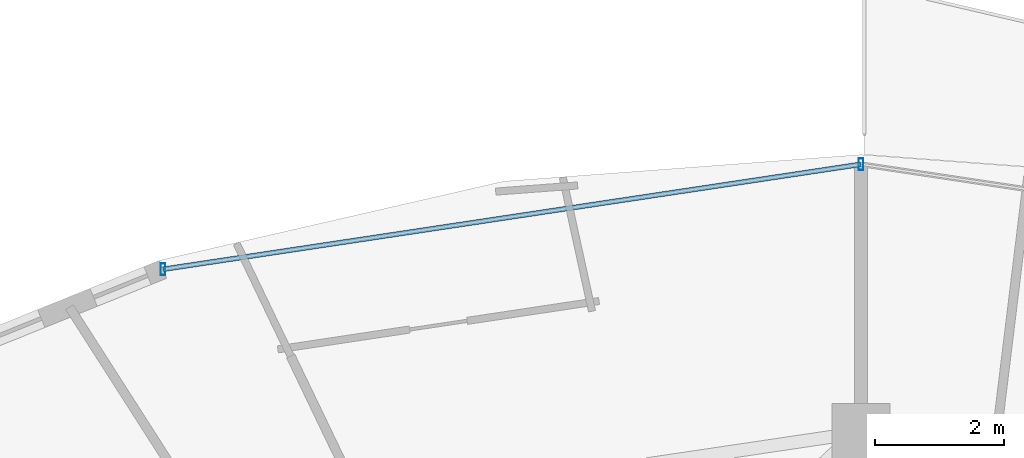
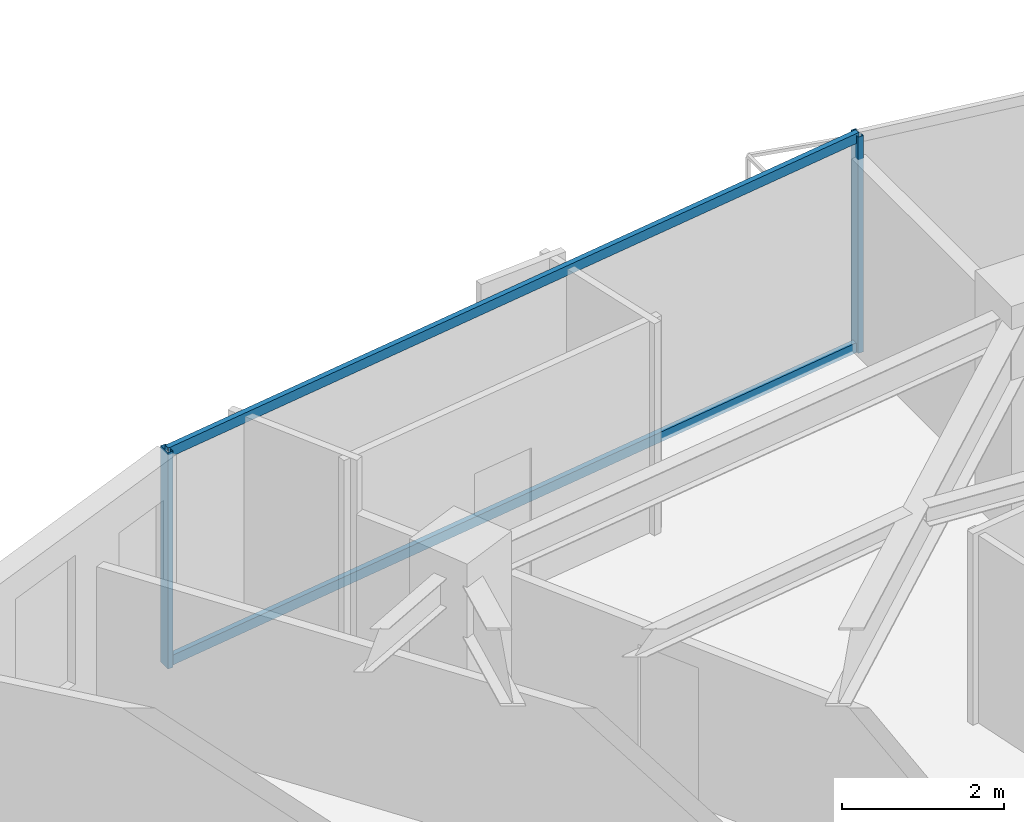
# One storey, part 19 of 33: 4 members, 1 element without a shape of its own.
"""IFC4 building model written with IfcOpenShell, lengths in metres."""

from ifc_helpers import new_model, si_unit, direction, frame, origin, origin_2d, place, context, subcontext, project, spatial, hollow_rectangle, extrude, material, material_profile, profile_set, type_object, element, aggregate, save


model = new_model("IFC4")

# Units and contexts
model_context = context("Model", 3, precision=1e-05, world=origin(), true_north=direction((0.0, 1.0)))
body_context = subcontext(model_context, "Body", "Model", "MODEL_VIEW")
ifc_project = project(units=[si_unit("LENGTHUNIT", "METRE"), si_unit("AREAUNIT", "SQUARE_METRE"), si_unit("VOLUMEUNIT", "CUBIC_METRE"), si_unit("PLANEANGLEUNIT", "RADIAN"), si_unit("MASSUNIT", "GRAM", prefix="KILO")], contexts=[model_context])

# Site, building, storey
site_placement = place(None, origin())
site = spatial("IfcSite", under=ifc_project, at=site_placement, CompositionType="ELEMENT")
building_placement = place(site_placement, origin())
building = spatial("IfcBuilding", under=site, at=building_placement, Name="Vorneva Point Tower", CompositionType="ELEMENT")
storey_placement = place(building_placement, frame((0.0, 0.0, 221.39990234375)))
storey = spatial("IfcBuildingStorey", under=building, at=storey_placement, Name="L60", CompositionType="ELEMENT", Elevation=221.39990234375)

# Curtain wall, members
ifc_material = material(Name="Pale anodised aluminium", Category="aluminium")
curtain_wall_type = type_object("IfcCurtainWallType", Name="CW-RES-SYS", PredefinedType="NOTDEFINED", material=ifc_material)
curtain_wall_placement = place(storey_placement, origin())
curtain_wall = element("IfcCurtainWall", 1, at=curtain_wall_placement, inside=storey, type_object=curtain_wall_type, Name="L60 Unitised Curtain Wall CW-L60-R01", PredefinedType="NOTDEFINED")
ifc_material_profile_1 = material_profile(ifc_material, hollow_rectangle(XDim=0.074951171875, YDim=0.179931640625, WallThickness=0.00390625, at=origin_2d()), Name="AL-MUL 180x75x4")
ifc_profile_set_1 = profile_set([ifc_material_profile_1], Name="Pale anodised aluminium")
member_type_1 = type_object("IfcMemberType", Name="CW-MUL-180", PredefinedType="MULLION", material=ifc_profile_set_1)
member_1_placement = place(storey_placement, frame((38.0, 47.35009765625, -0.039794921875), z_axis=(0.0, 0.0, 1.0), x_axis=(1.0, 0.0, 0.0)))
member_1 = element("IfcMember", 2, at=member_1_placement, type_object=member_type_1, Name="CW-L60-R01 Mullion 04", PredefinedType="MULLION", context=body_context, shape_type="SweptSolid", body=[
    extrude(hollow_rectangle(XDim=0.074951171875, YDim=0.179931640625, WallThickness=0.00390625, at=origin_2d()), origin(), (0.0, 0.0, 1.0), 3.269775390625),
])
member_2_placement = place(storey_placement, frame((27.19677734375, 45.724853515625, -0.039794921875), z_axis=(0.0, 0.0, 1.0), x_axis=(1.0, 0.0, 0.0)))
member_2 = element("IfcMember", 3, at=member_2_placement, type_object=member_type_1, Name="CW-L60-R01 Mullion 05", PredefinedType="MULLION", context=body_context, shape_type="SweptSolid", body=[
    extrude(hollow_rectangle(XDim=0.074951171875, YDim=0.179931640625, WallThickness=0.00390625, at=origin_2d()), origin(), (0.0, 0.0, 1.0), 3.269775390625),
])
ifc_material_profile_2 = material_profile(ifc_material, hollow_rectangle(XDim=0.074951171875, YDim=0.14990234375, WallThickness=0.00390625, at=origin_2d()), Name="AL-TRN 150x75x4")
ifc_profile_set_2 = profile_set([ifc_material_profile_2], Name="Pale anodised aluminium")
member_type_2 = type_object("IfcMemberType", Name="CW-TRN-150", PredefinedType="USERDEFINED", material=ifc_profile_set_2)
member_3_placement = place(storey_placement, frame((38.0, 47.35009765625, 0.02001953125), z_axis=(-0.988872333273, -0.148766624239, 0.0), x_axis=(0.148766624239, -0.988872333273, 0.0)))
member_3 = element("IfcMember", 4, at=member_3_placement, type_object=member_type_2, Name="CW-L60-R01 Transom 04.1", ObjectType="TRANSOM", PredefinedType="USERDEFINED", context=body_context, shape_type="SweptSolid", body=[
    extrude(hollow_rectangle(XDim=0.074951171875, YDim=0.14990234375, WallThickness=0.00390625, at=origin_2d()), origin(), (0.0, 0.0, 1.0), 10.9248046875),
])
member_4_placement = place(storey_placement, frame((38.0, 47.35009765625, 3.18017578125), z_axis=(-0.988872333273, -0.148766624239, 0.0), x_axis=(0.148766624239, -0.988872333273, 0.0)))
member_4 = element("IfcMember", 5, at=member_4_placement, type_object=member_type_2, Name="CW-L60-R01 Transom 04.2", ObjectType="TRANSOM", PredefinedType="USERDEFINED", context=body_context, shape_type="SweptSolid", body=[
    extrude(hollow_rectangle(XDim=0.074951171875, YDim=0.14990234375, WallThickness=0.00390625, at=origin_2d()), origin(), (0.0, 0.0, 1.0), 10.9248046875),
])
aggregate(curtain_wall, [member_1, member_2, member_3, member_4])

save(model, "model.ifc")
